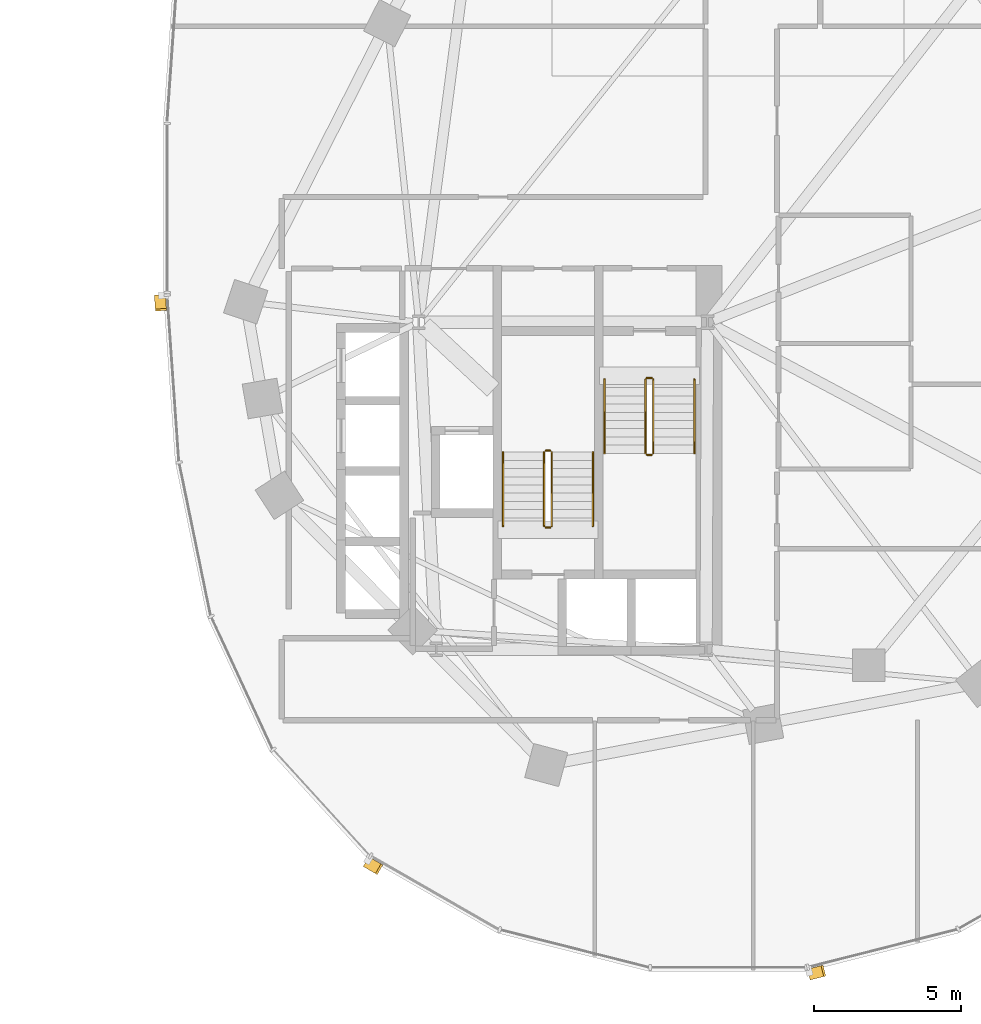
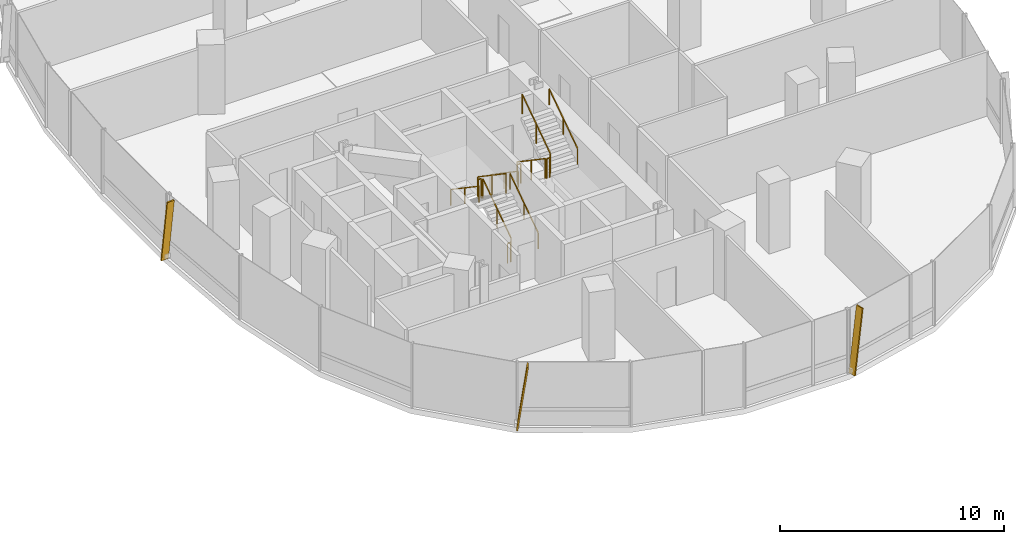
# One storey, part 21 of 22: 12 railings, 3 shading devices.
"""IFC4 building model written with IfcOpenShell, lengths in metres."""

from ifc_helpers import new_model, si_unit, direction, frame, origin, origin_2d, place, context, subcontext, project, spatial, rectangle, extrude, material, material_profile, profile_set, type_object, element, save


model = new_model("IFC4")

# Units and contexts
model_context = context("Model", 3, precision=1e-05, world=origin(), true_north=direction((0.0, 1.0)))
body_context = subcontext(model_context, "Body", "Model", "MODEL_VIEW")
ifc_project = project(units=[si_unit("LENGTHUNIT", "METRE"), si_unit("AREAUNIT", "SQUARE_METRE"), si_unit("VOLUMEUNIT", "CUBIC_METRE"), si_unit("PLANEANGLEUNIT", "RADIAN"), si_unit("MASSUNIT", "GRAM", prefix="KILO"), si_unit("THERMODYNAMICTEMPERATUREUNIT", "KELVIN"), si_unit("POWERUNIT", "WATT")], contexts=[model_context])

# Site, building, storey
site_placement = place(None, origin())
site = spatial("IfcSite", under=ifc_project, at=site_placement, CompositionType="ELEMENT")
building_placement = place(site_placement, origin())
building = spatial("IfcBuilding", under=site, at=building_placement, Name="Cundina Bronze Exchange", CompositionType="ELEMENT")
storey_placement = place(building_placement, frame((0.0, 0.0, 35.39990234375)))
storey = spatial("IfcBuildingStorey", under=building, at=storey_placement, Name="L08", CompositionType="ELEMENT", Elevation=35.39990234375)

# Railings
ifc_material_1 = material(Name="Steel ASTM A36 Painted", Category="steel")
railing_type_1 = type_object("IfcRailingType", Name="RLG-HND-900", PredefinedType="HANDRAIL", material=ifc_material_1)
railing_1_placement = place(storey_placement, frame((27.7900390625, -5.85009765625, 0.190185546875)))
element("IfcRailing", 1, at=railing_1_placement, inside=storey, type_object=railing_type_1, Name="L08 ST-E1 stair handrail 1", PredefinedType="HANDRAIL", context=body_context, shape_type="SweptSolid", body=[
    extrude(rectangle(XDim=0.048095703125, YDim=0.048095703125, at=origin_2d()), frame((0.0, 0.0, 0.8759765625), z_axis=(0.0, -0.827483756001, 0.561489655786), x_axis=(1.0, 0.0, 0.0)), (0.0, 0.0, 1.0), 3.04541015625),
    extrude(rectangle(XDim=0.0419921875, YDim=0.0419921875, at=origin_2d()), origin(), (0.0, 0.0, 1.0), 0.851806640625),
    extrude(rectangle(XDim=0.0419921875, YDim=0.0419921875, at=origin_2d()), frame((0.0, -1.260009765625, 0.85498046875)), (0.0, 0.0, 1.0), 0.851806640625),
    extrude(rectangle(XDim=0.0419921875, YDim=0.0419921875, at=origin_2d()), frame((0.0, -2.52001953125, 1.7099609375)), (0.0, 0.0, 1.0), 0.851806640625),
])
for number, where, name in (
    (2, (30.85009765625, -8.3701171875, 2.090087890625), "L08 ST-E1 stair handrail 2"),
    (3, (27.389892578125, -10.85009765625, 0.190185546875), "L08 ST-E2 stair handrail 1"),
):
    element("IfcRailing", number, at=place(storey_placement, frame(where)), inside=storey, type_object=railing_type_1, Name=name, PredefinedType="HANDRAIL", context=body_context, shape_type="SweptSolid", body=[
        extrude(rectangle(XDim=0.048095703125, YDim=0.048095703125, at=origin_2d()), frame((0.0, 0.0, 0.8759765625), z_axis=(0.0, 0.827483756001, 0.561489655786), x_axis=(-1.0, 0.0, 0.0)), (0.0, 0.0, 1.0), 3.04541015625),
        extrude(rectangle(XDim=0.0419921875, YDim=0.0419921875, at=origin_2d()), origin(), (0.0, 0.0, 1.0), 0.851806640625),
        extrude(rectangle(XDim=0.0419921875, YDim=0.0419921875, at=origin_2d()), frame((0.0, 1.260009765625, 0.85498046875)), (0.0, 0.0, 1.0), 0.851806640625),
        extrude(rectangle(XDim=0.0419921875, YDim=0.0419921875, at=origin_2d()), frame((0.0, 2.52001953125, 1.7099609375)), (0.0, 0.0, 1.0), 0.851806640625),
    ])
railing_2_placement = place(storey_placement, frame((24.330078125, -8.330078125, 2.090087890625)))
element("IfcRailing", 4, at=railing_2_placement, inside=storey, type_object=railing_type_1, Name="L08 ST-E2 stair handrail 2", PredefinedType="HANDRAIL", context=body_context, shape_type="SweptSolid", body=[
    extrude(rectangle(XDim=0.048095703125, YDim=0.048095703125, at=origin_2d()), frame((0.0, 0.0, 0.8759765625), z_axis=(0.0, -0.827483756001, 0.561489655786), x_axis=(1.0, 0.0, 0.0)), (0.0, 0.0, 1.0), 3.04541015625),
    extrude(rectangle(XDim=0.0419921875, YDim=0.0419921875, at=origin_2d()), origin(), (0.0, 0.0, 1.0), 0.851806640625),
    extrude(rectangle(XDim=0.0419921875, YDim=0.0419921875, at=origin_2d()), frame((0.0, -1.260009765625, 0.85498046875)), (0.0, 0.0, 1.0), 0.851806640625),
    extrude(rectangle(XDim=0.0419921875, YDim=0.0419921875, at=origin_2d()), frame((0.0, -2.52001953125, 1.7099609375)), (0.0, 0.0, 1.0), 0.851806640625),
])
railing_type_2 = type_object("IfcRailingType", Name="RLG-STG-1100", PredefinedType="GUARDRAIL", material=ifc_material_1)
railing_3_placement = place(storey_placement, frame((29.18994140625, -5.85009765625, 0.190185546875)))
element("IfcRailing", 5, at=railing_3_placement, inside=storey, type_object=railing_type_2, Name="L08 ST-E1 stair guard 1", PredefinedType="GUARDRAIL", context=body_context, shape_type="SweptSolid", body=[
    extrude(rectangle(XDim=0.048095703125, YDim=0.048095703125, at=origin_2d()), frame((0.0, 0.0, 1.076171875), z_axis=(0.0, -0.827483756001, 0.561489655786), x_axis=(1.0, 0.0, 0.0)), (0.0, 0.0, 1.0), 3.04541015625),
    extrude(rectangle(XDim=0.0419921875, YDim=0.0419921875, at=origin_2d()), origin(), (0.0, 0.0, 1.0), 1.052001953125),
    extrude(rectangle(XDim=0.0419921875, YDim=0.0419921875, at=origin_2d()), frame((0.0, -1.260009765625, 0.85498046875)), (0.0, 0.0, 1.0), 1.052001953125),
    extrude(rectangle(XDim=0.0419921875, YDim=0.0419921875, at=origin_2d()), frame((0.0, -2.52001953125, 1.7099609375)), (0.0, 0.0, 1.0), 1.052001953125),
])
railing_4_placement = place(storey_placement, frame((29.239990234375, -8.419921875, 1.900146484375)))
element("IfcRailing", 6, at=railing_4_placement, inside=storey, type_object=railing_type_2, Name="L08 ST-E1 stair guard 2", PredefinedType="GUARDRAIL", context=body_context, shape_type="SweptSolid", body=[
    extrude(rectangle(XDim=0.048095703125, YDim=0.048095703125, at=origin_2d()), frame((0.0, 0.0, 1.076171875), z_axis=(1.0, 0.0, 0.0), x_axis=(0.0, 1.0, 0.0)), (0.0, 0.0, 1.0), 0.159912109375),
    extrude(rectangle(XDim=0.0419921875, YDim=0.0419921875, at=origin_2d()), origin(), (0.0, 0.0, 1.0), 1.052001953125),
    extrude(rectangle(XDim=0.0419921875, YDim=0.0419921875, at=origin_2d()), frame((0.159912109375, 0.0, 0.0)), (0.0, 0.0, 1.0), 1.052001953125),
])
railing_5_placement = place(storey_placement, frame((29.449951171875, -8.3701171875, 2.090087890625)))
element("IfcRailing", 7, at=railing_5_placement, inside=storey, type_object=railing_type_2, Name="L08 ST-E1 stair guard 3", PredefinedType="GUARDRAIL", context=body_context, shape_type="SweptSolid", body=[
    extrude(rectangle(XDim=0.048095703125, YDim=0.048095703125, at=origin_2d()), frame((0.0, 0.0, 1.076171875), z_axis=(0.0, 0.827483756001, 0.561489655786), x_axis=(-1.0, 0.0, 0.0)), (0.0, 0.0, 1.0), 3.04541015625),
    extrude(rectangle(XDim=0.0419921875, YDim=0.0419921875, at=origin_2d()), origin(), (0.0, 0.0, 1.0), 1.052001953125),
    extrude(rectangle(XDim=0.0419921875, YDim=0.0419921875, at=origin_2d()), frame((0.0, 1.260009765625, 0.85498046875)), (0.0, 0.0, 1.0), 1.052001953125),
    extrude(rectangle(XDim=0.0419921875, YDim=0.0419921875, at=origin_2d()), frame((0.0, 2.52001953125, 1.7099609375)), (0.0, 0.0, 1.0), 1.052001953125),
])
railing_6_placement = place(storey_placement, frame((29.239990234375, -5.800048828125, 0.0)))
element("IfcRailing", 8, at=railing_6_placement, inside=storey, type_object=railing_type_2, Name="L08 ST-E1 stair guard 4", PredefinedType="GUARDRAIL", context=body_context, shape_type="SweptSolid", body=[
    extrude(rectangle(XDim=0.048095703125, YDim=0.048095703125, at=origin_2d()), frame((0.0, 0.0, 1.076171875), z_axis=(1.0, 0.0, 0.0), x_axis=(0.0, 1.0, 0.0)), (0.0, 0.0, 1.0), 0.159912109375),
    extrude(rectangle(XDim=0.0419921875, YDim=0.0419921875, at=origin_2d()), origin(), (0.0, 0.0, 1.0), 1.052001953125),
    extrude(rectangle(XDim=0.0419921875, YDim=0.0419921875, at=origin_2d()), frame((0.159912109375, 0.0, 0.0)), (0.0, 0.0, 1.0), 1.052001953125),
])
railing_7_placement = place(storey_placement, frame((25.989990234375, -10.85009765625, 0.190185546875)))
element("IfcRailing", 9, at=railing_7_placement, inside=storey, type_object=railing_type_2, Name="L08 ST-E2 stair guard 1", PredefinedType="GUARDRAIL", context=body_context, shape_type="SweptSolid", body=[
    extrude(rectangle(XDim=0.048095703125, YDim=0.048095703125, at=origin_2d()), frame((0.0, 0.0, 1.076171875), z_axis=(0.0, 0.827483756001, 0.561489655786), x_axis=(-1.0, 0.0, 0.0)), (0.0, 0.0, 1.0), 3.04541015625),
    extrude(rectangle(XDim=0.0419921875, YDim=0.0419921875, at=origin_2d()), origin(), (0.0, 0.0, 1.0), 1.052001953125),
    extrude(rectangle(XDim=0.0419921875, YDim=0.0419921875, at=origin_2d()), frame((0.0, 1.260009765625, 0.85498046875)), (0.0, 0.0, 1.0), 1.052001953125),
    extrude(rectangle(XDim=0.0419921875, YDim=0.0419921875, at=origin_2d()), frame((0.0, 2.52001953125, 1.7099609375)), (0.0, 0.0, 1.0), 1.052001953125),
])
railing_8_placement = place(storey_placement, frame((25.93994140625, -8.280029296875, 1.900146484375)))
element("IfcRailing", 10, at=railing_8_placement, inside=storey, type_object=railing_type_2, Name="L08 ST-E2 stair guard 2", PredefinedType="GUARDRAIL", context=body_context, shape_type="SweptSolid", body=[
    extrude(rectangle(XDim=0.048095703125, YDim=0.048095703125, at=origin_2d()), frame((0.0, 0.0, 1.076171875), z_axis=(-1.0, 0.0, 0.0), x_axis=(0.0, -1.0, 0.0)), (0.0, 0.0, 1.0), 0.159912109375),
    extrude(rectangle(XDim=0.0419921875, YDim=0.0419921875, at=origin_2d()), origin(), (0.0, 0.0, 1.0), 1.052001953125),
    extrude(rectangle(XDim=0.0419921875, YDim=0.0419921875, at=origin_2d()), frame((-0.159912109375, 0.0, 0.0)), (0.0, 0.0, 1.0), 1.052001953125),
])
railing_9_placement = place(storey_placement, frame((25.72998046875, -8.330078125, 2.090087890625)))
element("IfcRailing", 11, at=railing_9_placement, inside=storey, type_object=railing_type_2, Name="L08 ST-E2 stair guard 3", PredefinedType="GUARDRAIL", context=body_context, shape_type="SweptSolid", body=[
    extrude(rectangle(XDim=0.048095703125, YDim=0.048095703125, at=origin_2d()), frame((0.0, 0.0, 1.076171875), z_axis=(0.0, -0.827483756001, 0.561489655786), x_axis=(1.0, 0.0, 0.0)), (0.0, 0.0, 1.0), 3.04541015625),
    extrude(rectangle(XDim=0.0419921875, YDim=0.0419921875, at=origin_2d()), origin(), (0.0, 0.0, 1.0), 1.052001953125),
    extrude(rectangle(XDim=0.0419921875, YDim=0.0419921875, at=origin_2d()), frame((0.0, -1.260009765625, 0.85498046875)), (0.0, 0.0, 1.0), 1.052001953125),
    extrude(rectangle(XDim=0.0419921875, YDim=0.0419921875, at=origin_2d()), frame((0.0, -2.52001953125, 1.7099609375)), (0.0, 0.0, 1.0), 1.052001953125),
])
railing_10_placement = place(storey_placement, frame((25.93994140625, -10.89990234375, 0.0)))
element("IfcRailing", 12, at=railing_10_placement, inside=storey, type_object=railing_type_2, Name="L08 ST-E2 stair guard 4", PredefinedType="GUARDRAIL", context=body_context, shape_type="SweptSolid", body=[
    extrude(rectangle(XDim=0.048095703125, YDim=0.048095703125, at=origin_2d()), frame((0.0, 0.0, 1.076171875), z_axis=(-1.0, 0.0, 0.0), x_axis=(0.0, -1.0, 0.0)), (0.0, 0.0, 1.0), 0.159912109375),
    extrude(rectangle(XDim=0.0419921875, YDim=0.0419921875, at=origin_2d()), origin(), (0.0, 0.0, 1.0), 1.052001953125),
    extrude(rectangle(XDim=0.0419921875, YDim=0.0419921875, at=origin_2d()), frame((-0.159912109375, 0.0, 0.0)), (0.0, 0.0, 1.0), 1.052001953125),
])

# Shading devices
ifc_material_2 = material(Name="Anodised Bronze Aluminium 6063-T6", Category="aluminium")
ifc_material_profile = material_profile(ifc_material_2, rectangle(XDim=0.070068359375, YDim=0.3798828125, at=origin_2d()), Name="FIN70X380", Category="aluminium")
ifc_profile_set = profile_set([ifc_material_profile], Name="Anodised Bronze Aluminium 6063-T6")
shading_device_type = type_object("IfcShadingDeviceType", Name="SHD-FIN-BRZ380", PredefinedType="USERDEFINED", material=ifc_profile_set)
for number, where, z_axis, x_axis, name in (
    (13, (12.6259765625, -2.993896484375, 0.02001953125), (0.009645159174, -0.137059109714, 0.990515911709), (-0.06953288269, 0.988072340253, 0.137398066402), "L08 Diagonal Bronze Solar Fin 1"),
    (14, (19.685791015625, -22.314208984375, 0.02001953125), (0.119166378275, -0.06842456559, 0.990513731915), (-0.85898178632, 0.493221799887, 0.137413779831), "L08 Diagonal Bronze Solar Fin 5"),
    (15, (34.787353515625, -26.138427734375, 0.02001953125), (0.133214830938, 0.033688115694, 0.990514472221), (-0.960284642503, -0.242842181368, 0.137408443412), "L08 Diagonal Bronze Solar Fin 1"),
):
    element("IfcShadingDevice", number, at=place(storey_placement, frame(where, z_axis=z_axis, x_axis=x_axis)), inside=storey, type_object=shading_device_type, Name=name, ObjectType="FIN", PredefinedType="USERDEFINED", context=body_context, shape_type="SweptSolid", body=[
        extrude(rectangle(XDim=0.070068359375, YDim=0.3798828125, at=origin_2d()), origin(), (0.0, 0.0, 1.0), 3.4931640625),
    ])

save(model, "model.ifc")
